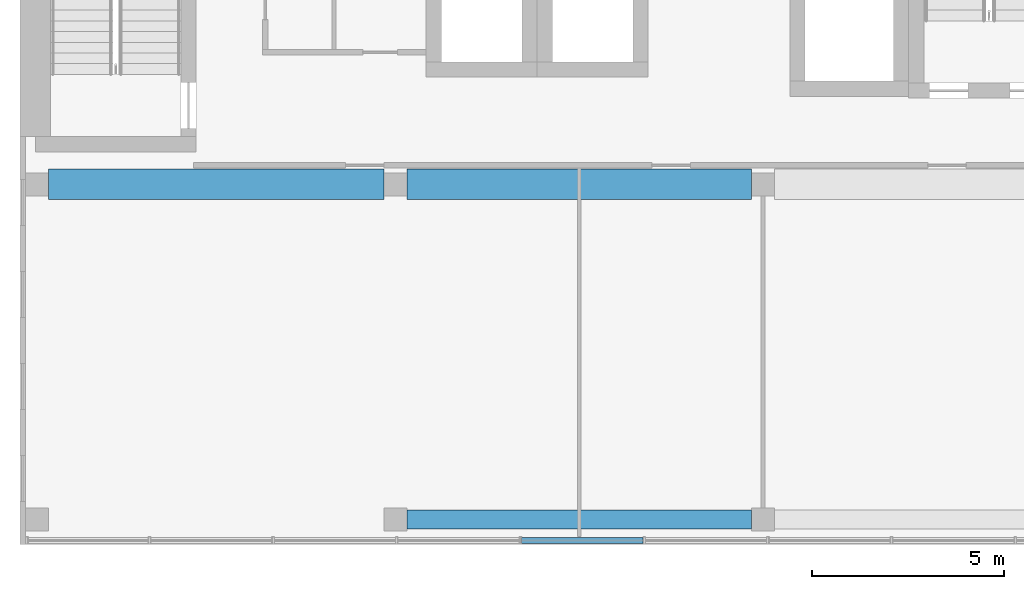
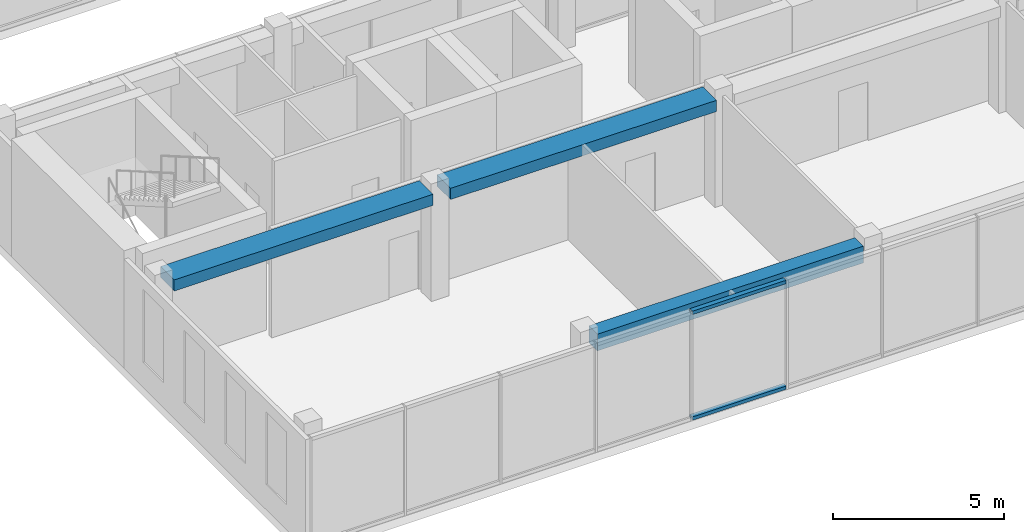
# One storey, part 3 of 28: 3 beams, 2 members, 1 element without a shape of its own.
"""IFC4 building model written with IfcOpenShell, lengths in metres."""

from ifc_helpers import new_model, si_unit, direction, frame, origin, origin_2d, place, context, subcontext, project, spatial, rectangle, hollow_rectangle, extrude, material, layer, layer_set, material_profile, profile_set, type_object, element, aggregate, save


model = new_model("IFC4")

# Units and contexts
model_context = context("Model", 3, precision=1e-05, world=origin(), true_north=direction((0.0, 1.0)))
body_context = subcontext(model_context, "Body", "Model", "MODEL_VIEW")
ifc_project = project(units=[si_unit("LENGTHUNIT", "METRE"), si_unit("AREAUNIT", "SQUARE_METRE"), si_unit("VOLUMEUNIT", "CUBIC_METRE"), si_unit("PLANEANGLEUNIT", "RADIAN"), si_unit("MASSUNIT", "GRAM", prefix="KILO")], contexts=[model_context])

# Site, building, storey
site_placement = place(None, origin())
site = spatial("IfcSite", under=ifc_project, at=site_placement, CompositionType="ELEMENT")
building_placement = place(site_placement, origin())
building = spatial("IfcBuilding", under=site, at=building_placement, Name="Nzadi Deep Aquarium and Research Tower", CompositionType="ELEMENT")
storey_placement = place(building_placement, frame((0.0, 0.0, 73.89990234375)))
storey = spatial("IfcBuildingStorey", under=building, at=storey_placement, Name="L15", CompositionType="ELEMENT", Elevation=73.89990234375)

# Beams
ifc_material_1 = material(Name="Concrete C35/45", Category="concrete")
ifc_material_profile_1 = material_profile(ifc_material_1, rectangle(XDim=0.5, YDim=0.60009765625, at=origin_2d()))
ifc_profile_set_1 = profile_set([ifc_material_profile_1], Name="Concrete C35/45")
beam_type_1 = type_object("IfcBeamType", Name="RC 500x600", PredefinedType="BEAM", material=ifc_profile_set_1)
beam_1_placement = place(storey_placement, frame((9.89990234375, 0.449951171875, 3.60009765625), z_axis=(1.0, 0.0, 0.0), x_axis=(0.0, 1.0, 0.0)))
element("IfcBeam", 1, at=beam_1_placement, inside=storey, type_object=beam_type_1, Name="B-Z1-L15-L1-2", PredefinedType="BEAM", context=body_context, shape_type="SweptSolid", body=[
    extrude(rectangle(XDim=0.5, YDim=0.60009765625, at=origin_2d()), origin(), (0.0, 0.0, 1.0), 9.0),
])
ifc_material_2 = material(Name="Concrete C35/45", Category="concrete")
ifc_material_profile_2 = material_profile(ifc_material_2, rectangle(XDim=0.800048828125, YDim=0.39990234375, at=origin_2d()))
ifc_profile_set_2 = profile_set([ifc_material_profile_2], Name="Concrete C35/45")
beam_type_2 = type_object("IfcBeamType", Name="RC 800x400", PredefinedType="BEAM", material=ifc_profile_set_2)
beam_2_placement = place(storey_placement, frame((0.550048828125, 9.199951171875, 3.7001953125), z_axis=(1.0, 0.0, 0.0), x_axis=(0.0, 1.0, 0.0)))
element("IfcBeam", 2, at=beam_2_placement, inside=storey, type_object=beam_type_2, Name="B-Z1-L15-L2-1", PredefinedType="BEAM", context=body_context, shape_type="SweptSolid", body=[
    extrude(rectangle(XDim=0.800048828125, YDim=0.39990234375, at=origin_2d()), origin(), (0.0, 0.0, 1.0), 8.75),
])
beam_3_placement = place(storey_placement, frame((9.89990234375, 9.199951171875, 3.7001953125), z_axis=(1.0, 0.0, 0.0), x_axis=(0.0, 1.0, 0.0)))
element("IfcBeam", 3, at=beam_3_placement, inside=storey, type_object=beam_type_2, Name="B-Z1-L15-L2-2", PredefinedType="BEAM", context=body_context, shape_type="SweptSolid", body=[
    extrude(rectangle(XDim=0.800048828125, YDim=0.39990234375, at=origin_2d()), origin(), (0.0, 0.0, 1.0), 9.0),
])

# Curtain wall, members
ifc_material_3 = material(Name="Aluminium unitised frame", Category="aluminium")
ifc_layer = layer(ifc_material_3, 0.199951171875)
ifc_layer_set = layer_set([ifc_layer], Name="Aluminium unitised frame")
curtain_wall_type = type_object("IfcCurtainWallType", Name="Curtain wall Unitised 200", PredefinedType="NOTDEFINED", material=ifc_layer_set)
curtain_wall_placement = place(storey_placement, origin())
curtain_wall = element("IfcCurtainWall", 4, at=curtain_wall_placement, inside=storey, type_object=curtain_wall_type, Name="Unitised curtain wall blade A south L15", PredefinedType="NOTDEFINED")
ifc_material_4 = material(Name="Aluminium unitised frame", Category="aluminium")
ifc_material_profile_3 = material_profile(ifc_material_4, hollow_rectangle(XDim=0.159912109375, YDim=0.1201171875, WallThickness=0.0048828125, at=origin_2d()))
ifc_profile_set_3 = profile_set([ifc_material_profile_3], Name="Aluminium unitised frame")
member_type = type_object("IfcMemberType", Name="Transom 120x160 Unitised", PredefinedType="MULLION", material=ifc_profile_set_3)
member_1_placement = place(storey_placement, frame((12.896728515625, -0.10009765625, 0.06005859375), z_axis=(1.0, 0.0, 0.0), x_axis=(0.0, 1.0, 0.0)))
member_1 = element("IfcMember", 5, at=member_1_placement, type_object=member_type, Name="CW069 transom 5.1", PredefinedType="MULLION", context=body_context, shape_type="SweptSolid", body=[
    extrude(hollow_rectangle(XDim=0.159912109375, YDim=0.1201171875, WallThickness=0.0048828125, at=origin_2d()), origin(), (0.0, 0.0, 1.0), 3.169189453125),
])
member_2_placement = place(storey_placement, frame((12.896728515625, -0.10009765625, 3.840087890625), z_axis=(1.0, 0.0, 0.0), x_axis=(0.0, 1.0, 0.0)))
member_2 = element("IfcMember", 6, at=member_2_placement, type_object=member_type, Name="CW069 transom 5.2", PredefinedType="MULLION", context=body_context, shape_type="SweptSolid", body=[
    extrude(hollow_rectangle(XDim=0.159912109375, YDim=0.1201171875, WallThickness=0.0048828125, at=origin_2d()), origin(), (0.0, 0.0, 1.0), 3.169189453125),
])
aggregate(curtain_wall, [member_1, member_2])

save(model, "model.ifc")
